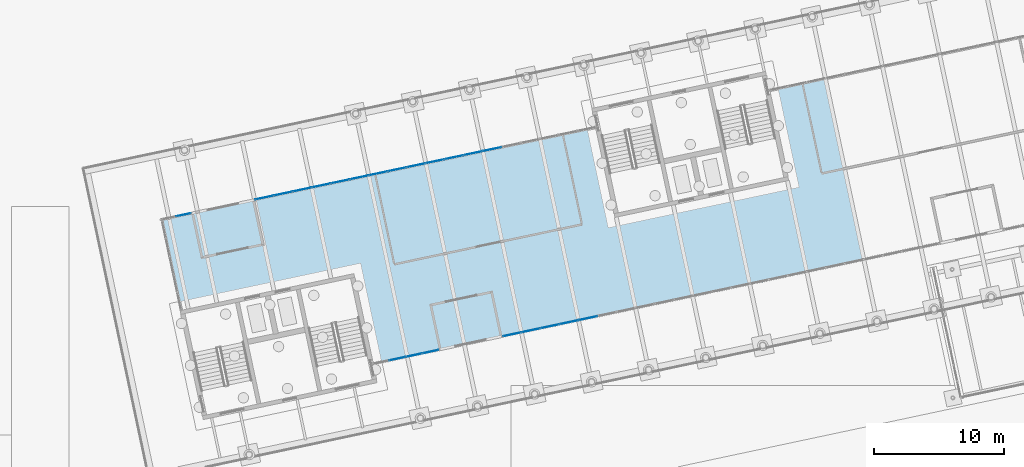
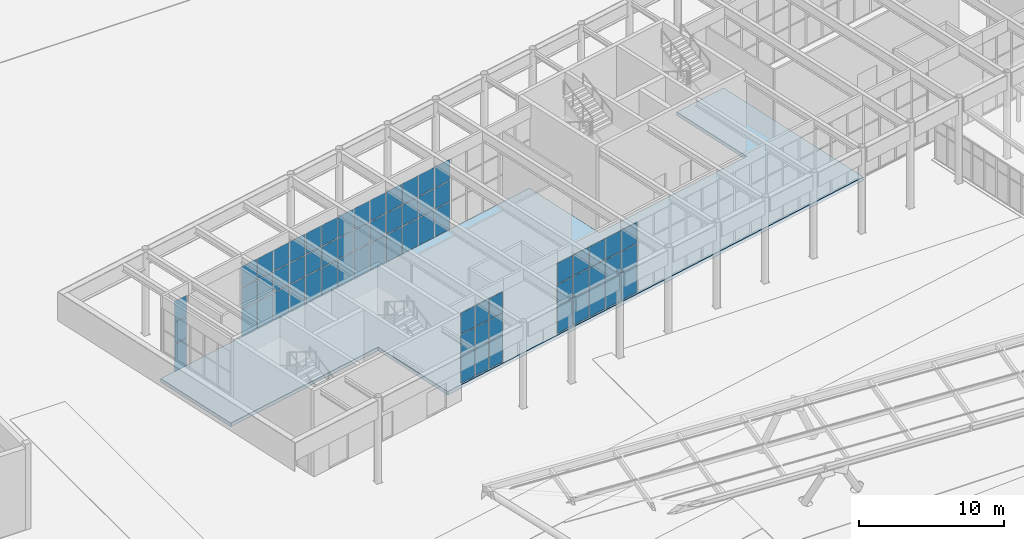
# One storey, part 140 of 239: 66 plates, 1 slab, 4 elements without a shape of their own.
"""IFC4 building model written with IfcOpenShell, lengths in metres."""

from ifc_helpers import new_model, si_unit, direction, frame, origin, origin_2d, place, context, subcontext, project, spatial, polyline, rectangle, outline, extrude, material, layer, layer_set, type_object, element, aggregate, save


model = new_model("IFC4")

# Units and contexts
model_context = context("Model", 3, precision=1e-05, world=origin(), true_north=direction((0.0, 1.0)))
body_context = subcontext(model_context, "Body", "Model", "MODEL_VIEW")
ifc_project = project(units=[si_unit("LENGTHUNIT", "METRE"), si_unit("AREAUNIT", "SQUARE_METRE"), si_unit("VOLUMEUNIT", "CUBIC_METRE"), si_unit("PLANEANGLEUNIT", "RADIAN"), si_unit("MASSUNIT", "GRAM", prefix="KILO")], contexts=[model_context])

# Site, building, storey
site_placement = place(None, origin())
site = spatial("IfcSite", under=ifc_project, at=site_placement, CompositionType="ELEMENT")
building_placement = place(site_placement, origin())
building = spatial("IfcBuilding", under=site, at=building_placement, Name="Okhra Congress Centre", CompositionType="ELEMENT")
storey_placement = place(building_placement, origin())
storey = spatial("IfcBuildingStorey", under=building, at=storey_placement, Name="L00", CompositionType="ELEMENT", Elevation=0.0)

# Curtain wall, plates
ifc_material_1 = material(Name="Aluminium curtain wall, triple glazing", Category="aluminium")
curtain_wall_type = type_object("IfcCurtainWallType", Name="Curtain wall 1500 module", PredefinedType="NOTDEFINED", material=ifc_material_1)
curtain_wall_1_placement = place(storey_placement, origin())
curtain_wall_1 = element("IfcCurtainWall", 1, at=curtain_wall_1_placement, inside=storey, type_object=curtain_wall_type, Name="Ground curtain wall S1", PredefinedType="NOTDEFINED")
ifc_material_2 = material(Name="Triple glazing unit, low-e coating, argon fill", Category="glass")
ifc_layer_1 = layer(ifc_material_2, 0.028076171875)
ifc_layer_set_1 = layer_set([ifc_layer_1], Name="Curtain wall glazing unit 28")
plate_type = type_object("IfcPlateType", Name="Curtain wall glazing unit 28", PredefinedType="CURTAIN_PANEL", material=ifc_layer_set_1)
plate_1_placement = place(storey_placement, frame((81.239501953125, 36.072509765625, 0.06005859375), z_axis=(0.0, 0.0, 1.0), x_axis=(0.978147600734, 0.207911690818, 0.0)))
plate_1 = element("IfcPlate", 2, at=plate_1_placement, type_object=plate_type, Name="CW7 panel 2.1", PredefinedType="CURTAIN_PANEL", context=body_context, shape_type="SweptSolid", body=[
    extrude(rectangle(XDim=1.2548828125, YDim=0.028076171875, at=origin_2d()), origin(), (0.0, 0.0, 1.0), 2.31005859375),
])
plate_2_placement = place(storey_placement, frame((81.239501953125, 36.072509765625, 2.43017578125), z_axis=(0.0, 0.0, 1.0), x_axis=(0.978147600734, 0.207911690818, 0.0)))
plate_2 = element("IfcPlate", 3, at=plate_2_placement, type_object=plate_type, Name="CW7 panel 2.2", PredefinedType="CURTAIN_PANEL", context=body_context, shape_type="SweptSolid", body=[
    extrude(rectangle(XDim=1.2548828125, YDim=0.028076171875, at=origin_2d()), origin(), (0.0, 0.0, 1.0), 1.739990234375),
])
plate_3_placement = place(storey_placement, frame((81.239501953125, 36.072509765625, 4.22998046875), z_axis=(0.0, 0.0, 1.0), x_axis=(0.978147600734, 0.207911690818, 0.0)))
plate_3 = element("IfcPlate", 4, at=plate_3_placement, type_object=plate_type, Name="CW7 panel 2.3", PredefinedType="CURTAIN_PANEL", context=body_context, shape_type="SweptSolid", body=[
    extrude(rectangle(XDim=1.2548828125, YDim=0.028076171875, at=origin_2d()), origin(), (0.0, 0.0, 1.0), 1.760009765625),
])
plate_4_placement = place(storey_placement, frame((82.52587890625, 36.345947265625, 0.06005859375), z_axis=(0.0, 0.0, 1.0), x_axis=(0.978147600734, 0.207911690818, 0.0)))
plate_4 = element("IfcPlate", 5, at=plate_4_placement, type_object=plate_type, Name="CW7 panel 3.1", PredefinedType="CURTAIN_PANEL", context=body_context, shape_type="SweptSolid", body=[
    extrude(rectangle(XDim=1.2548828125, YDim=0.028076171875, at=origin_2d()), origin(), (0.0, 0.0, 1.0), 2.31005859375),
])
plate_5_placement = place(storey_placement, frame((82.52587890625, 36.345947265625, 2.43017578125), z_axis=(0.0, 0.0, 1.0), x_axis=(0.978147600734, 0.207911690818, 0.0)))
plate_5 = element("IfcPlate", 6, at=plate_5_placement, type_object=plate_type, Name="CW7 panel 3.2", PredefinedType="CURTAIN_PANEL", context=body_context, shape_type="SweptSolid", body=[
    extrude(rectangle(XDim=1.2548828125, YDim=0.028076171875, at=origin_2d()), origin(), (0.0, 0.0, 1.0), 1.739990234375),
])
plate_6_placement = place(storey_placement, frame((82.52587890625, 36.345947265625, 4.22998046875), z_axis=(0.0, 0.0, 1.0), x_axis=(0.978147600734, 0.207911690818, 0.0)))
plate_6 = element("IfcPlate", 7, at=plate_6_placement, type_object=plate_type, Name="CW7 panel 3.3", PredefinedType="CURTAIN_PANEL", context=body_context, shape_type="SweptSolid", body=[
    extrude(rectangle(XDim=1.2548828125, YDim=0.028076171875, at=origin_2d()), origin(), (0.0, 0.0, 1.0), 1.760009765625),
])
plate_7_placement = place(storey_placement, frame((83.79736328125, 36.6162109375, 0.06005859375), z_axis=(0.0, 0.0, 1.0), x_axis=(0.978147600734, 0.207911690818, 0.0)))
plate_7 = element("IfcPlate", 8, at=plate_7_placement, type_object=plate_type, Name="CW7 panel 4.1", PredefinedType="CURTAIN_PANEL", context=body_context, shape_type="SweptSolid", body=[
    extrude(rectangle(XDim=1.22509765625, YDim=0.028076171875, at=origin_2d()), origin(), (0.0, 0.0, 1.0), 2.31005859375),
])
plate_8_placement = place(storey_placement, frame((83.79736328125, 36.6162109375, 2.43017578125), z_axis=(0.0, 0.0, 1.0), x_axis=(0.978147600734, 0.207911690818, 0.0)))
plate_8 = element("IfcPlate", 9, at=plate_8_placement, type_object=plate_type, Name="CW7 panel 4.2", PredefinedType="CURTAIN_PANEL", context=body_context, shape_type="SweptSolid", body=[
    extrude(rectangle(XDim=1.22509765625, YDim=0.028076171875, at=origin_2d()), origin(), (0.0, 0.0, 1.0), 1.739990234375),
])
plate_9_placement = place(storey_placement, frame((83.79736328125, 36.6162109375, 4.22998046875), z_axis=(0.0, 0.0, 1.0), x_axis=(0.978147600734, 0.207911690818, 0.0)))
plate_9 = element("IfcPlate", 10, at=plate_9_placement, type_object=plate_type, Name="CW7 panel 4.3", PredefinedType="CURTAIN_PANEL", context=body_context, shape_type="SweptSolid", body=[
    extrude(rectangle(XDim=1.22509765625, YDim=0.028076171875, at=origin_2d()), origin(), (0.0, 0.0, 1.0), 1.760009765625),
])
aggregate(curtain_wall_1, [plate_1, plate_2, plate_3, plate_4, plate_5, plate_6, plate_7, plate_8, plate_9])

curtain_wall_2_placement = place(storey_placement, origin())
curtain_wall_2 = element("IfcCurtainWall", 11, at=curtain_wall_2_placement, inside=storey, type_object=curtain_wall_type, Name="Ground curtain wall S2", PredefinedType="NOTDEFINED")
plate_10_placement = place(storey_placement, frame((90.09423828125, 37.95458984375, 0.06005859375), z_axis=(0.0, 0.0, 1.0), x_axis=(0.978147600734, 0.207911690818, 0.0)))
plate_10 = element("IfcPlate", 12, at=plate_10_placement, type_object=plate_type, Name="CW7 panel 1.1", PredefinedType="CURTAIN_PANEL", context=body_context, shape_type="SweptSolid", body=[
    extrude(rectangle(XDim=1.409912109375, YDim=0.028076171875, at=origin_2d()), origin(), (0.0, 0.0, 1.0), 2.31005859375),
])
plate_11_placement = place(storey_placement, frame((90.09423828125, 37.95458984375, 2.43017578125), z_axis=(0.0, 0.0, 1.0), x_axis=(0.978147600734, 0.207911690818, 0.0)))
plate_11 = element("IfcPlate", 13, at=plate_11_placement, type_object=plate_type, Name="CW7 panel 1.2", PredefinedType="CURTAIN_PANEL", context=body_context, shape_type="SweptSolid", body=[
    extrude(rectangle(XDim=1.409912109375, YDim=0.028076171875, at=origin_2d()), origin(), (0.0, 0.0, 1.0), 1.739990234375),
])
plate_12_placement = place(storey_placement, frame((90.09423828125, 37.95458984375, 4.22998046875), z_axis=(0.0, 0.0, 1.0), x_axis=(0.978147600734, 0.207911690818, 0.0)))
plate_12 = element("IfcPlate", 14, at=plate_12_placement, type_object=plate_type, Name="CW7 panel 1.3", PredefinedType="CURTAIN_PANEL", context=body_context, shape_type="SweptSolid", body=[
    extrude(rectangle(XDim=1.409912109375, YDim=0.028076171875, at=origin_2d()), origin(), (0.0, 0.0, 1.0), 1.760009765625),
])
plate_13_placement = place(storey_placement, frame((91.546875, 38.26318359375, 0.06005859375), z_axis=(0.0, 0.0, 1.0), x_axis=(0.978147600734, 0.207911690818, 0.0)))
plate_13 = element("IfcPlate", 15, at=plate_13_placement, type_object=plate_type, Name="CW7 panel 2.1", PredefinedType="CURTAIN_PANEL", context=body_context, shape_type="SweptSolid", body=[
    extrude(rectangle(XDim=1.43994140625, YDim=0.028076171875, at=origin_2d()), origin(), (0.0, 0.0, 1.0), 2.31005859375),
])
plate_14_placement = place(storey_placement, frame((91.546875, 38.26318359375, 2.43017578125), z_axis=(0.0, 0.0, 1.0), x_axis=(0.978147600734, 0.207911690818, 0.0)))
plate_14 = element("IfcPlate", 16, at=plate_14_placement, type_object=plate_type, Name="CW7 panel 2.2", PredefinedType="CURTAIN_PANEL", context=body_context, shape_type="SweptSolid", body=[
    extrude(rectangle(XDim=1.43994140625, YDim=0.028076171875, at=origin_2d()), origin(), (0.0, 0.0, 1.0), 1.739990234375),
])
plate_15_placement = place(storey_placement, frame((91.546875, 38.26318359375, 4.22998046875), z_axis=(0.0, 0.0, 1.0), x_axis=(0.978147600734, 0.207911690818, 0.0)))
plate_15 = element("IfcPlate", 17, at=plate_15_placement, type_object=plate_type, Name="CW7 panel 2.3", PredefinedType="CURTAIN_PANEL", context=body_context, shape_type="SweptSolid", body=[
    extrude(rectangle(XDim=1.43994140625, YDim=0.028076171875, at=origin_2d()), origin(), (0.0, 0.0, 1.0), 1.760009765625),
])
plate_16_placement = place(storey_placement, frame((93.01416015625, 38.5751953125, 0.06005859375), z_axis=(0.0, 0.0, 1.0), x_axis=(0.978147600734, 0.207911690818, 0.0)))
plate_16 = element("IfcPlate", 18, at=plate_16_placement, type_object=plate_type, Name="CW7 panel 3.1", PredefinedType="CURTAIN_PANEL", context=body_context, shape_type="SweptSolid", body=[
    extrude(rectangle(XDim=1.43994140625, YDim=0.028076171875, at=origin_2d()), origin(), (0.0, 0.0, 1.0), 2.31005859375),
])
plate_17_placement = place(storey_placement, frame((93.01416015625, 38.5751953125, 2.43017578125), z_axis=(0.0, 0.0, 1.0), x_axis=(0.978147600734, 0.207911690818, 0.0)))
plate_17 = element("IfcPlate", 19, at=plate_17_placement, type_object=plate_type, Name="CW7 panel 3.2", PredefinedType="CURTAIN_PANEL", context=body_context, shape_type="SweptSolid", body=[
    extrude(rectangle(XDim=1.43994140625, YDim=0.028076171875, at=origin_2d()), origin(), (0.0, 0.0, 1.0), 1.739990234375),
])
plate_18_placement = place(storey_placement, frame((93.01416015625, 38.5751953125, 4.22998046875), z_axis=(0.0, 0.0, 1.0), x_axis=(0.978147600734, 0.207911690818, 0.0)))
plate_18 = element("IfcPlate", 20, at=plate_18_placement, type_object=plate_type, Name="CW7 panel 3.3", PredefinedType="CURTAIN_PANEL", context=body_context, shape_type="SweptSolid", body=[
    extrude(rectangle(XDim=1.43994140625, YDim=0.028076171875, at=origin_2d()), origin(), (0.0, 0.0, 1.0), 1.760009765625),
])
plate_19_placement = place(storey_placement, frame((94.481201171875, 38.886962890625, 0.06005859375), z_axis=(0.0, 0.0, 1.0), x_axis=(0.978147600734, 0.207911690818, 0.0)))
plate_19 = element("IfcPlate", 21, at=plate_19_placement, type_object=plate_type, Name="CW7 panel 4.1", PredefinedType="CURTAIN_PANEL", context=body_context, shape_type="SweptSolid", body=[
    extrude(rectangle(XDim=1.43994140625, YDim=0.028076171875, at=origin_2d()), origin(), (0.0, 0.0, 1.0), 2.31005859375),
])
plate_20_placement = place(storey_placement, frame((94.481201171875, 38.886962890625, 2.43017578125), z_axis=(0.0, 0.0, 1.0), x_axis=(0.978147600734, 0.207911690818, 0.0)))
plate_20 = element("IfcPlate", 22, at=plate_20_placement, type_object=plate_type, Name="CW7 panel 4.2", PredefinedType="CURTAIN_PANEL", context=body_context, shape_type="SweptSolid", body=[
    extrude(rectangle(XDim=1.43994140625, YDim=0.028076171875, at=origin_2d()), origin(), (0.0, 0.0, 1.0), 1.739990234375),
])
plate_21_placement = place(storey_placement, frame((94.481201171875, 38.886962890625, 4.22998046875), z_axis=(0.0, 0.0, 1.0), x_axis=(0.978147600734, 0.207911690818, 0.0)))
plate_21 = element("IfcPlate", 23, at=plate_21_placement, type_object=plate_type, Name="CW7 panel 4.3", PredefinedType="CURTAIN_PANEL", context=body_context, shape_type="SweptSolid", body=[
    extrude(rectangle(XDim=1.43994140625, YDim=0.028076171875, at=origin_2d()), origin(), (0.0, 0.0, 1.0), 1.760009765625),
])
plate_22_placement = place(storey_placement, frame((95.948486328125, 39.198974609375, 0.06005859375), z_axis=(0.0, 0.0, 1.0), x_axis=(0.978147600734, 0.207911690818, 0.0)))
plate_22 = element("IfcPlate", 24, at=plate_22_placement, type_object=plate_type, Name="CW7 panel 5.1", PredefinedType="CURTAIN_PANEL", context=body_context, shape_type="SweptSolid", body=[
    extrude(rectangle(XDim=1.43994140625, YDim=0.028076171875, at=origin_2d()), origin(), (0.0, 0.0, 1.0), 2.31005859375),
])
plate_23_placement = place(storey_placement, frame((95.948486328125, 39.198974609375, 2.43017578125), z_axis=(0.0, 0.0, 1.0), x_axis=(0.978147600734, 0.207911690818, 0.0)))
plate_23 = element("IfcPlate", 25, at=plate_23_placement, type_object=plate_type, Name="CW7 panel 5.2", PredefinedType="CURTAIN_PANEL", context=body_context, shape_type="SweptSolid", body=[
    extrude(rectangle(XDim=1.43994140625, YDim=0.028076171875, at=origin_2d()), origin(), (0.0, 0.0, 1.0), 1.739990234375),
])
plate_24_placement = place(storey_placement, frame((95.948486328125, 39.198974609375, 4.22998046875), z_axis=(0.0, 0.0, 1.0), x_axis=(0.978147600734, 0.207911690818, 0.0)))
plate_24 = element("IfcPlate", 26, at=plate_24_placement, type_object=plate_type, Name="CW7 panel 5.3", PredefinedType="CURTAIN_PANEL", context=body_context, shape_type="SweptSolid", body=[
    extrude(rectangle(XDim=1.43994140625, YDim=0.028076171875, at=origin_2d()), origin(), (0.0, 0.0, 1.0), 1.760009765625),
])
aggregate(curtain_wall_2, [plate_10, plate_11, plate_12, plate_13, plate_14, plate_15, plate_16, plate_17, plate_18, plate_19, plate_20, plate_21, plate_22, plate_23, plate_24])

curtain_wall_3_placement = place(storey_placement, origin())
curtain_wall_3 = element("IfcCurtainWall", 27, at=curtain_wall_3_placement, inside=storey, type_object=curtain_wall_type, Name="Ground curtain wall N6", PredefinedType="NOTDEFINED")
plate_25_placement = place(storey_placement, frame((64.7431640625, 47.17529296875, 0.06005859375), z_axis=(0.0, 0.0, 1.0), x_axis=(0.978147600734, 0.207911690818, 0.0)))
plate_25 = element("IfcPlate", 28, at=plate_25_placement, type_object=plate_type, Name="CW7 panel 2.1", PredefinedType="CURTAIN_PANEL", context=body_context, shape_type="SweptSolid", body=[
    extrude(rectangle(XDim=1.110107421875, YDim=0.028076171875, at=origin_2d()), origin(), (0.0, 0.0, 1.0), 2.31005859375),
])
plate_26_placement = place(storey_placement, frame((64.7431640625, 47.17529296875, 2.43017578125), z_axis=(0.0, 0.0, 1.0), x_axis=(0.978147600734, 0.207911690818, 0.0)))
plate_26 = element("IfcPlate", 29, at=plate_26_placement, type_object=plate_type, Name="CW7 panel 2.2", PredefinedType="CURTAIN_PANEL", context=body_context, shape_type="SweptSolid", body=[
    extrude(rectangle(XDim=1.110107421875, YDim=0.028076171875, at=origin_2d()), origin(), (0.0, 0.0, 1.0), 1.739990234375),
])
plate_27_placement = place(storey_placement, frame((64.7431640625, 47.17529296875, 4.22998046875), z_axis=(0.0, 0.0, 1.0), x_axis=(0.978147600734, 0.207911690818, 0.0)))
plate_27 = element("IfcPlate", 30, at=plate_27_placement, type_object=plate_type, Name="CW7 panel 2.3", PredefinedType="CURTAIN_PANEL", context=body_context, shape_type="SweptSolid", body=[
    extrude(rectangle(XDim=1.110107421875, YDim=0.028076171875, at=origin_2d()), origin(), (0.0, 0.0, 1.0), 1.760009765625),
])
aggregate(curtain_wall_3, [plate_25, plate_26, plate_27])

curtain_wall_4_placement = place(storey_placement, origin())
curtain_wall_4 = element("IfcCurtainWall", 31, at=curtain_wall_4_placement, inside=storey, type_object=curtain_wall_type, Name="Ground curtain wall N7", PredefinedType="NOTDEFINED")
plate_28_placement = place(storey_placement, frame((70.982666015625, 48.50146484375, 0.06005859375), z_axis=(0.0, 0.0, 1.0), x_axis=(0.978147600734, 0.207911690818, 0.0)))
plate_28 = element("IfcPlate", 32, at=plate_28_placement, type_object=plate_type, Name="CW7 panel 1.1", PredefinedType="CURTAIN_PANEL", context=body_context, shape_type="SweptSolid", body=[
    extrude(rectangle(XDim=1.40771484375, YDim=0.028076171875, at=origin_2d()), origin(), (0.0, 0.0, 1.0), 2.31005859375),
])
plate_29_placement = place(storey_placement, frame((70.982666015625, 48.50146484375, 2.43017578125), z_axis=(0.0, 0.0, 1.0), x_axis=(0.978147600734, 0.207911690818, 0.0)))
plate_29 = element("IfcPlate", 33, at=plate_29_placement, type_object=plate_type, Name="CW7 panel 1.2", PredefinedType="CURTAIN_PANEL", context=body_context, shape_type="SweptSolid", body=[
    extrude(rectangle(XDim=1.40771484375, YDim=0.028076171875, at=origin_2d()), origin(), (0.0, 0.0, 1.0), 1.739990234375),
])
plate_30_placement = place(storey_placement, frame((70.982666015625, 48.50146484375, 4.22998046875), z_axis=(0.0, 0.0, 1.0), x_axis=(0.978147600734, 0.207911690818, 0.0)))
plate_30 = element("IfcPlate", 34, at=plate_30_placement, type_object=plate_type, Name="CW7 panel 1.3", PredefinedType="CURTAIN_PANEL", context=body_context, shape_type="SweptSolid", body=[
    extrude(rectangle(XDim=1.40771484375, YDim=0.028076171875, at=origin_2d()), origin(), (0.0, 0.0, 1.0), 1.760009765625),
])
plate_31_placement = place(storey_placement, frame((72.43310546875, 48.809814453125, 0.06005859375), z_axis=(0.0, 0.0, 1.0), x_axis=(0.978147600734, 0.207911690818, 0.0)))
plate_31 = element("IfcPlate", 35, at=plate_31_placement, type_object=plate_type, Name="CW7 panel 2.1", PredefinedType="CURTAIN_PANEL", context=body_context, shape_type="SweptSolid", body=[
    extrude(rectangle(XDim=1.437744140625, YDim=0.028076171875, at=origin_2d()), origin(), (0.0, 0.0, 1.0), 2.31005859375),
])
plate_32_placement = place(storey_placement, frame((72.43310546875, 48.809814453125, 2.43017578125), z_axis=(0.0, 0.0, 1.0), x_axis=(0.978147600734, 0.207911690818, 0.0)))
plate_32 = element("IfcPlate", 36, at=plate_32_placement, type_object=plate_type, Name="CW7 panel 2.2", PredefinedType="CURTAIN_PANEL", context=body_context, shape_type="SweptSolid", body=[
    extrude(rectangle(XDim=1.437744140625, YDim=0.028076171875, at=origin_2d()), origin(), (0.0, 0.0, 1.0), 1.739990234375),
])
plate_33_placement = place(storey_placement, frame((72.43310546875, 48.809814453125, 4.22998046875), z_axis=(0.0, 0.0, 1.0), x_axis=(0.978147600734, 0.207911690818, 0.0)))
plate_33 = element("IfcPlate", 37, at=plate_33_placement, type_object=plate_type, Name="CW7 panel 2.3", PredefinedType="CURTAIN_PANEL", context=body_context, shape_type="SweptSolid", body=[
    extrude(rectangle(XDim=1.437744140625, YDim=0.028076171875, at=origin_2d()), origin(), (0.0, 0.0, 1.0), 1.760009765625),
])
plate_34_placement = place(storey_placement, frame((73.898193359375, 49.12109375, 0.06005859375), z_axis=(0.0, 0.0, 1.0), x_axis=(0.978147600734, 0.207911690818, 0.0)))
plate_34 = element("IfcPlate", 38, at=plate_34_placement, type_object=plate_type, Name="CW7 panel 3.1", PredefinedType="CURTAIN_PANEL", context=body_context, shape_type="SweptSolid", body=[
    extrude(rectangle(XDim=1.437744140625, YDim=0.028076171875, at=origin_2d()), origin(), (0.0, 0.0, 1.0), 2.31005859375),
])
plate_35_placement = place(storey_placement, frame((73.898193359375, 49.12109375, 2.43017578125), z_axis=(0.0, 0.0, 1.0), x_axis=(0.978147600734, 0.207911690818, 0.0)))
plate_35 = element("IfcPlate", 39, at=plate_35_placement, type_object=plate_type, Name="CW7 panel 3.2", PredefinedType="CURTAIN_PANEL", context=body_context, shape_type="SweptSolid", body=[
    extrude(rectangle(XDim=1.437744140625, YDim=0.028076171875, at=origin_2d()), origin(), (0.0, 0.0, 1.0), 1.739990234375),
])
plate_36_placement = place(storey_placement, frame((73.898193359375, 49.12109375, 4.22998046875), z_axis=(0.0, 0.0, 1.0), x_axis=(0.978147600734, 0.207911690818, 0.0)))
plate_36 = element("IfcPlate", 40, at=plate_36_placement, type_object=plate_type, Name="CW7 panel 3.3", PredefinedType="CURTAIN_PANEL", context=body_context, shape_type="SweptSolid", body=[
    extrude(rectangle(XDim=1.437744140625, YDim=0.028076171875, at=origin_2d()), origin(), (0.0, 0.0, 1.0), 1.760009765625),
])
plate_37_placement = place(storey_placement, frame((75.36328125, 49.4326171875, 0.06005859375), z_axis=(0.0, 0.0, 1.0), x_axis=(0.978147600734, 0.207911690818, 0.0)))
plate_37 = element("IfcPlate", 41, at=plate_37_placement, type_object=plate_type, Name="CW7 panel 4.1", PredefinedType="CURTAIN_PANEL", context=body_context, shape_type="SweptSolid", body=[
    extrude(rectangle(XDim=1.437744140625, YDim=0.028076171875, at=origin_2d()), origin(), (0.0, 0.0, 1.0), 2.31005859375),
])
plate_38_placement = place(storey_placement, frame((75.36328125, 49.4326171875, 2.43017578125), z_axis=(0.0, 0.0, 1.0), x_axis=(0.978147600734, 0.207911690818, 0.0)))
plate_38 = element("IfcPlate", 42, at=plate_38_placement, type_object=plate_type, Name="CW7 panel 4.2", PredefinedType="CURTAIN_PANEL", context=body_context, shape_type="SweptSolid", body=[
    extrude(rectangle(XDim=1.437744140625, YDim=0.028076171875, at=origin_2d()), origin(), (0.0, 0.0, 1.0), 1.739990234375),
])
plate_39_placement = place(storey_placement, frame((75.36328125, 49.4326171875, 4.22998046875), z_axis=(0.0, 0.0, 1.0), x_axis=(0.978147600734, 0.207911690818, 0.0)))
plate_39 = element("IfcPlate", 43, at=plate_39_placement, type_object=plate_type, Name="CW7 panel 4.3", PredefinedType="CURTAIN_PANEL", context=body_context, shape_type="SweptSolid", body=[
    extrude(rectangle(XDim=1.437744140625, YDim=0.028076171875, at=origin_2d()), origin(), (0.0, 0.0, 1.0), 1.760009765625),
])
plate_40_placement = place(storey_placement, frame((76.828125, 49.743896484375, 0.06005859375), z_axis=(0.0, 0.0, 1.0), x_axis=(0.978147600734, 0.207911690818, 0.0)))
plate_40 = element("IfcPlate", 44, at=plate_40_placement, type_object=plate_type, Name="CW7 panel 5.1", PredefinedType="CURTAIN_PANEL", context=body_context, shape_type="SweptSolid", body=[
    extrude(rectangle(XDim=1.437744140625, YDim=0.028076171875, at=origin_2d()), origin(), (0.0, 0.0, 1.0), 2.31005859375),
])
plate_41_placement = place(storey_placement, frame((76.828125, 49.743896484375, 2.43017578125), z_axis=(0.0, 0.0, 1.0), x_axis=(0.978147600734, 0.207911690818, 0.0)))
plate_41 = element("IfcPlate", 45, at=plate_41_placement, type_object=plate_type, Name="CW7 panel 5.2", PredefinedType="CURTAIN_PANEL", context=body_context, shape_type="SweptSolid", body=[
    extrude(rectangle(XDim=1.437744140625, YDim=0.028076171875, at=origin_2d()), origin(), (0.0, 0.0, 1.0), 1.739990234375),
])
plate_42_placement = place(storey_placement, frame((76.828125, 49.743896484375, 4.22998046875), z_axis=(0.0, 0.0, 1.0), x_axis=(0.978147600734, 0.207911690818, 0.0)))
plate_42 = element("IfcPlate", 46, at=plate_42_placement, type_object=plate_type, Name="CW7 panel 5.3", PredefinedType="CURTAIN_PANEL", context=body_context, shape_type="SweptSolid", body=[
    extrude(rectangle(XDim=1.437744140625, YDim=0.028076171875, at=origin_2d()), origin(), (0.0, 0.0, 1.0), 1.760009765625),
])
plate_43_placement = place(storey_placement, frame((78.293212890625, 50.055419921875, 0.06005859375), z_axis=(0.0, 0.0, 1.0), x_axis=(0.978147600734, 0.207911690818, 0.0)))
plate_43 = element("IfcPlate", 47, at=plate_43_placement, type_object=plate_type, Name="CW7 panel 6.1", PredefinedType="CURTAIN_PANEL", context=body_context, shape_type="SweptSolid", body=[
    extrude(rectangle(XDim=1.437744140625, YDim=0.028076171875, at=origin_2d()), origin(), (0.0, 0.0, 1.0), 2.31005859375),
])
plate_44_placement = place(storey_placement, frame((78.293212890625, 50.055419921875, 2.43017578125), z_axis=(0.0, 0.0, 1.0), x_axis=(0.978147600734, 0.207911690818, 0.0)))
plate_44 = element("IfcPlate", 48, at=plate_44_placement, type_object=plate_type, Name="CW7 panel 6.2", PredefinedType="CURTAIN_PANEL", context=body_context, shape_type="SweptSolid", body=[
    extrude(rectangle(XDim=1.437744140625, YDim=0.028076171875, at=origin_2d()), origin(), (0.0, 0.0, 1.0), 1.739990234375),
])
plate_45_placement = place(storey_placement, frame((78.293212890625, 50.055419921875, 4.22998046875), z_axis=(0.0, 0.0, 1.0), x_axis=(0.978147600734, 0.207911690818, 0.0)))
plate_45 = element("IfcPlate", 49, at=plate_45_placement, type_object=plate_type, Name="CW7 panel 6.3", PredefinedType="CURTAIN_PANEL", context=body_context, shape_type="SweptSolid", body=[
    extrude(rectangle(XDim=1.437744140625, YDim=0.028076171875, at=origin_2d()), origin(), (0.0, 0.0, 1.0), 1.760009765625),
])
plate_46_placement = place(storey_placement, frame((79.75830078125, 50.36669921875, 0.06005859375), z_axis=(0.0, 0.0, 1.0), x_axis=(0.978147600734, 0.207911690818, 0.0)))
plate_46 = element("IfcPlate", 50, at=plate_46_placement, type_object=plate_type, Name="CW7 panel 7.1", PredefinedType="CURTAIN_PANEL", context=body_context, shape_type="SweptSolid", body=[
    extrude(rectangle(XDim=1.437744140625, YDim=0.028076171875, at=origin_2d()), origin(), (0.0, 0.0, 1.0), 2.31005859375),
])
plate_47_placement = place(storey_placement, frame((79.75830078125, 50.36669921875, 2.43017578125), z_axis=(0.0, 0.0, 1.0), x_axis=(0.978147600734, 0.207911690818, 0.0)))
plate_47 = element("IfcPlate", 51, at=plate_47_placement, type_object=plate_type, Name="CW7 panel 7.2", PredefinedType="CURTAIN_PANEL", context=body_context, shape_type="SweptSolid", body=[
    extrude(rectangle(XDim=1.437744140625, YDim=0.028076171875, at=origin_2d()), origin(), (0.0, 0.0, 1.0), 1.739990234375),
])
plate_48_placement = place(storey_placement, frame((79.75830078125, 50.36669921875, 4.22998046875), z_axis=(0.0, 0.0, 1.0), x_axis=(0.978147600734, 0.207911690818, 0.0)))
plate_48 = element("IfcPlate", 52, at=plate_48_placement, type_object=plate_type, Name="CW7 panel 7.3", PredefinedType="CURTAIN_PANEL", context=body_context, shape_type="SweptSolid", body=[
    extrude(rectangle(XDim=1.437744140625, YDim=0.028076171875, at=origin_2d()), origin(), (0.0, 0.0, 1.0), 1.760009765625),
])
plate_49_placement = place(storey_placement, frame((81.223388671875, 50.67822265625, 0.06005859375), z_axis=(0.0, 0.0, 1.0), x_axis=(0.978147600734, 0.207911690818, 0.0)))
plate_49 = element("IfcPlate", 53, at=plate_49_placement, type_object=plate_type, Name="CW7 panel 8.1", PredefinedType="CURTAIN_PANEL", context=body_context, shape_type="SweptSolid", body=[
    extrude(rectangle(XDim=1.437744140625, YDim=0.028076171875, at=origin_2d()), origin(), (0.0, 0.0, 1.0), 2.31005859375),
])
plate_50_placement = place(storey_placement, frame((81.223388671875, 50.67822265625, 2.43017578125), z_axis=(0.0, 0.0, 1.0), x_axis=(0.978147600734, 0.207911690818, 0.0)))
plate_50 = element("IfcPlate", 54, at=plate_50_placement, type_object=plate_type, Name="CW7 panel 8.2", PredefinedType="CURTAIN_PANEL", context=body_context, shape_type="SweptSolid", body=[
    extrude(rectangle(XDim=1.437744140625, YDim=0.028076171875, at=origin_2d()), origin(), (0.0, 0.0, 1.0), 1.739990234375),
])
plate_51_placement = place(storey_placement, frame((81.223388671875, 50.67822265625, 4.22998046875), z_axis=(0.0, 0.0, 1.0), x_axis=(0.978147600734, 0.207911690818, 0.0)))
plate_51 = element("IfcPlate", 55, at=plate_51_placement, type_object=plate_type, Name="CW7 panel 8.3", PredefinedType="CURTAIN_PANEL", context=body_context, shape_type="SweptSolid", body=[
    extrude(rectangle(XDim=1.437744140625, YDim=0.028076171875, at=origin_2d()), origin(), (0.0, 0.0, 1.0), 1.760009765625),
])
plate_52_placement = place(storey_placement, frame((82.6884765625, 50.98974609375, 0.06005859375), z_axis=(0.0, 0.0, 1.0), x_axis=(0.978147600734, 0.207911690818, 0.0)))
plate_52 = element("IfcPlate", 56, at=plate_52_placement, type_object=plate_type, Name="CW7 panel 9.1", PredefinedType="CURTAIN_PANEL", context=body_context, shape_type="SweptSolid", body=[
    extrude(rectangle(XDim=1.437744140625, YDim=0.028076171875, at=origin_2d()), origin(), (0.0, 0.0, 1.0), 2.31005859375),
])
plate_53_placement = place(storey_placement, frame((82.6884765625, 50.98974609375, 2.43017578125), z_axis=(0.0, 0.0, 1.0), x_axis=(0.978147600734, 0.207911690818, 0.0)))
plate_53 = element("IfcPlate", 57, at=plate_53_placement, type_object=plate_type, Name="CW7 panel 9.2", PredefinedType="CURTAIN_PANEL", context=body_context, shape_type="SweptSolid", body=[
    extrude(rectangle(XDim=1.437744140625, YDim=0.028076171875, at=origin_2d()), origin(), (0.0, 0.0, 1.0), 1.739990234375),
])
plate_54_placement = place(storey_placement, frame((82.6884765625, 50.98974609375, 4.22998046875), z_axis=(0.0, 0.0, 1.0), x_axis=(0.978147600734, 0.207911690818, 0.0)))
plate_54 = element("IfcPlate", 58, at=plate_54_placement, type_object=plate_type, Name="CW7 panel 9.3", PredefinedType="CURTAIN_PANEL", context=body_context, shape_type="SweptSolid", body=[
    extrude(rectangle(XDim=1.437744140625, YDim=0.028076171875, at=origin_2d()), origin(), (0.0, 0.0, 1.0), 1.760009765625),
])
plate_55_placement = place(storey_placement, frame((84.153564453125, 51.301025390625, 0.06005859375), z_axis=(0.0, 0.0, 1.0), x_axis=(0.978147600734, 0.207911690818, 0.0)))
plate_55 = element("IfcPlate", 59, at=plate_55_placement, type_object=plate_type, Name="CW7 panel 10.1", PredefinedType="CURTAIN_PANEL", context=body_context, shape_type="SweptSolid", body=[
    extrude(rectangle(XDim=1.437744140625, YDim=0.028076171875, at=origin_2d()), origin(), (0.0, 0.0, 1.0), 2.31005859375),
])
plate_56_placement = place(storey_placement, frame((84.153564453125, 51.301025390625, 2.43017578125), z_axis=(0.0, 0.0, 1.0), x_axis=(0.978147600734, 0.207911690818, 0.0)))
plate_56 = element("IfcPlate", 60, at=plate_56_placement, type_object=plate_type, Name="CW7 panel 10.2", PredefinedType="CURTAIN_PANEL", context=body_context, shape_type="SweptSolid", body=[
    extrude(rectangle(XDim=1.437744140625, YDim=0.028076171875, at=origin_2d()), origin(), (0.0, 0.0, 1.0), 1.739990234375),
])
plate_57_placement = place(storey_placement, frame((84.153564453125, 51.301025390625, 4.22998046875), z_axis=(0.0, 0.0, 1.0), x_axis=(0.978147600734, 0.207911690818, 0.0)))
plate_57 = element("IfcPlate", 61, at=plate_57_placement, type_object=plate_type, Name="CW7 panel 10.3", PredefinedType="CURTAIN_PANEL", context=body_context, shape_type="SweptSolid", body=[
    extrude(rectangle(XDim=1.437744140625, YDim=0.028076171875, at=origin_2d()), origin(), (0.0, 0.0, 1.0), 1.760009765625),
])
plate_58_placement = place(storey_placement, frame((85.618408203125, 51.612548828125, 0.06005859375), z_axis=(0.0, 0.0, 1.0), x_axis=(0.978147600734, 0.207911690818, 0.0)))
plate_58 = element("IfcPlate", 62, at=plate_58_placement, type_object=plate_type, Name="CW7 panel 11.1", PredefinedType="CURTAIN_PANEL", context=body_context, shape_type="SweptSolid", body=[
    extrude(rectangle(XDim=1.437744140625, YDim=0.028076171875, at=origin_2d()), origin(), (0.0, 0.0, 1.0), 2.31005859375),
])
plate_59_placement = place(storey_placement, frame((85.618408203125, 51.612548828125, 2.43017578125), z_axis=(0.0, 0.0, 1.0), x_axis=(0.978147600734, 0.207911690818, 0.0)))
plate_59 = element("IfcPlate", 63, at=plate_59_placement, type_object=plate_type, Name="CW7 panel 11.2", PredefinedType="CURTAIN_PANEL", context=body_context, shape_type="SweptSolid", body=[
    extrude(rectangle(XDim=1.437744140625, YDim=0.028076171875, at=origin_2d()), origin(), (0.0, 0.0, 1.0), 1.739990234375),
])
plate_60_placement = place(storey_placement, frame((85.618408203125, 51.612548828125, 4.22998046875), z_axis=(0.0, 0.0, 1.0), x_axis=(0.978147600734, 0.207911690818, 0.0)))
plate_60 = element("IfcPlate", 64, at=plate_60_placement, type_object=plate_type, Name="CW7 panel 11.3", PredefinedType="CURTAIN_PANEL", context=body_context, shape_type="SweptSolid", body=[
    extrude(rectangle(XDim=1.437744140625, YDim=0.028076171875, at=origin_2d()), origin(), (0.0, 0.0, 1.0), 1.760009765625),
])
plate_61_placement = place(storey_placement, frame((87.08349609375, 51.923828125, 0.06005859375), z_axis=(0.0, 0.0, 1.0), x_axis=(0.978147600734, 0.207911690818, 0.0)))
plate_61 = element("IfcPlate", 65, at=plate_61_placement, type_object=plate_type, Name="CW7 panel 12.1", PredefinedType="CURTAIN_PANEL", context=body_context, shape_type="SweptSolid", body=[
    extrude(rectangle(XDim=1.437744140625, YDim=0.028076171875, at=origin_2d()), origin(), (0.0, 0.0, 1.0), 2.31005859375),
])
plate_62_placement = place(storey_placement, frame((87.08349609375, 51.923828125, 2.43017578125), z_axis=(0.0, 0.0, 1.0), x_axis=(0.978147600734, 0.207911690818, 0.0)))
plate_62 = element("IfcPlate", 66, at=plate_62_placement, type_object=plate_type, Name="CW7 panel 12.2", PredefinedType="CURTAIN_PANEL", context=body_context, shape_type="SweptSolid", body=[
    extrude(rectangle(XDim=1.437744140625, YDim=0.028076171875, at=origin_2d()), origin(), (0.0, 0.0, 1.0), 1.739990234375),
])
plate_63_placement = place(storey_placement, frame((87.08349609375, 51.923828125, 4.22998046875), z_axis=(0.0, 0.0, 1.0), x_axis=(0.978147600734, 0.207911690818, 0.0)))
plate_63 = element("IfcPlate", 67, at=plate_63_placement, type_object=plate_type, Name="CW7 panel 12.3", PredefinedType="CURTAIN_PANEL", context=body_context, shape_type="SweptSolid", body=[
    extrude(rectangle(XDim=1.437744140625, YDim=0.028076171875, at=origin_2d()), origin(), (0.0, 0.0, 1.0), 1.760009765625),
])
plate_64_placement = place(storey_placement, frame((88.548583984375, 52.2353515625, 0.06005859375), z_axis=(0.0, 0.0, 1.0), x_axis=(0.978147600734, 0.207911690818, 0.0)))
plate_64 = element("IfcPlate", 68, at=plate_64_placement, type_object=plate_type, Name="CW7 panel 13.1", PredefinedType="CURTAIN_PANEL", context=body_context, shape_type="SweptSolid", body=[
    extrude(rectangle(XDim=1.437744140625, YDim=0.028076171875, at=origin_2d()), origin(), (0.0, 0.0, 1.0), 2.31005859375),
])
plate_65_placement = place(storey_placement, frame((88.548583984375, 52.2353515625, 2.43017578125), z_axis=(0.0, 0.0, 1.0), x_axis=(0.978147600734, 0.207911690818, 0.0)))
plate_65 = element("IfcPlate", 69, at=plate_65_placement, type_object=plate_type, Name="CW7 panel 13.2", PredefinedType="CURTAIN_PANEL", context=body_context, shape_type="SweptSolid", body=[
    extrude(rectangle(XDim=1.437744140625, YDim=0.028076171875, at=origin_2d()), origin(), (0.0, 0.0, 1.0), 1.739990234375),
])
plate_66_placement = place(storey_placement, frame((88.548583984375, 52.2353515625, 4.22998046875), z_axis=(0.0, 0.0, 1.0), x_axis=(0.978147600734, 0.207911690818, 0.0)))
plate_66 = element("IfcPlate", 70, at=plate_66_placement, type_object=plate_type, Name="CW7 panel 13.3", PredefinedType="CURTAIN_PANEL", context=body_context, shape_type="SweptSolid", body=[
    extrude(rectangle(XDim=1.437744140625, YDim=0.028076171875, at=origin_2d()), origin(), (0.0, 0.0, 1.0), 1.760009765625),
])
aggregate(curtain_wall_4, [plate_28, plate_29, plate_30, plate_31, plate_32, plate_33, plate_34, plate_35, plate_36, plate_37, plate_38, plate_39, plate_40, plate_41, plate_42, plate_43, plate_44, plate_45, plate_46, plate_47, plate_48, plate_49, plate_50, plate_51, plate_52, plate_53, plate_54, plate_55, plate_56, plate_57, plate_58, plate_59, plate_60, plate_61, plate_62, plate_63, plate_64, plate_65, plate_66])

# Slab
ifc_material_3 = material(Name="Concrete C25/30", Category="concrete")
ifc_layer_2 = layer(ifc_material_3, 0.300048828125)
ifc_layer_set_2 = layer_set([ifc_layer_2], Name="RC ground slab 300 C25/30")
slab_type = type_object("IfcSlabType", Name="RC ground slab 300 C25/30", PredefinedType="BASESLAB", material=ifc_layer_set_2)
slab_placement = place(storey_placement, frame((0.0, 0.0, -0.300048828125)))
element("IfcSlab", 71, at=slab_placement, inside=storey, type_object=slab_type, Name="Ground slab 1", PredefinedType="BASESLAB", context=body_context, shape_type="SweptSolid", body=[
    extrude(outline(polyline([(109.931640625, 56.862060546875), (111.4287109375, 49.819580078125), (98.028076171875, 46.97119140625), (96.531005859375, 54.013671875), (62.98046875, 46.88232421875), (64.488037109375, 39.790771484375), (77.888671875, 42.63916015625), (79.385498046875, 35.596435546875), (117.19091796875, 43.63232421875), (114.1865234375, 57.7666015625), (109.931640625, 56.862060546875)])), origin(), (0.0, 0.0, 1.0), 0.300048828125),
])

save(model, "model.ifc")
